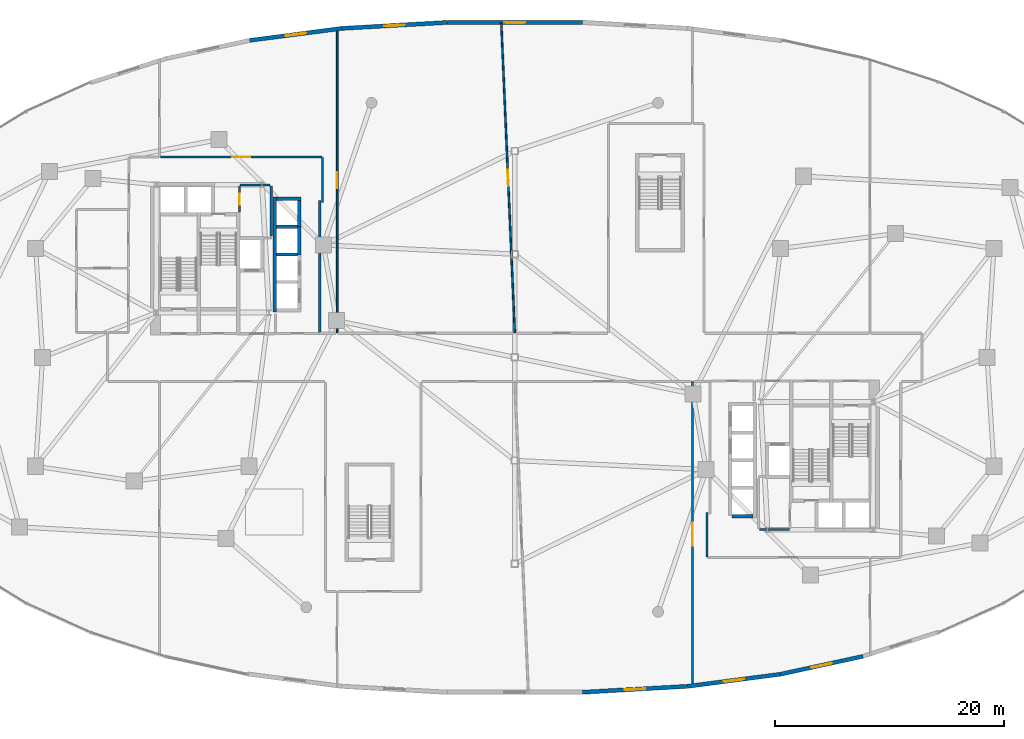
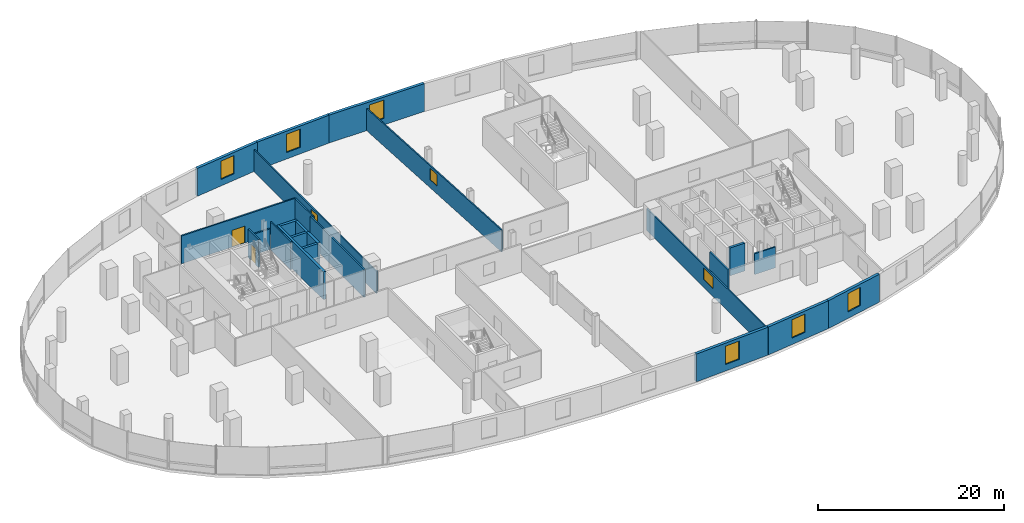
# One storey, part 14 of 19: 24 walls, 9 windows, 2 doors, 11 openings.
"""IFC4 building model written with IfcOpenShell, lengths in metres."""

from ifc_helpers import new_model, si_unit, direction, frame, frame_2d, origin, place, context, subcontext, project, spatial, rectangle, extrude, material, layer, layer_set, type_object, element, fill, save


model = new_model("IFC4")

# Units and contexts
model_context = context("Model", 3, precision=1e-05, world=origin(), true_north=direction((0.0, 1.0)))
body_context = subcontext(model_context, "Body", "Model", "MODEL_VIEW")
ifc_project = project(units=[si_unit("LENGTHUNIT", "METRE"), si_unit("AREAUNIT", "SQUARE_METRE"), si_unit("VOLUMEUNIT", "CUBIC_METRE"), si_unit("PLANEANGLEUNIT", "RADIAN"), si_unit("MASSUNIT", "GRAM", prefix="KILO"), si_unit("THERMODYNAMICTEMPERATUREUNIT", "KELVIN"), si_unit("POWERUNIT", "WATT")], contexts=[model_context])

# Site, building, storey
site_placement = place(None, origin())
site = spatial("IfcSite", under=ifc_project, at=site_placement, CompositionType="ELEMENT")
building_placement = place(site_placement, origin())
building = spatial("IfcBuilding", under=site, at=building_placement, Name="Cundina Bronze Exchange", CompositionType="ELEMENT")
storey_placement = place(building_placement, frame((0.0, 0.0, 16.0)))
storey = spatial("IfcBuildingStorey", under=building, at=storey_placement, Name="L03", CompositionType="ELEMENT", Elevation=16.0)

# Walls
ifc_material_1 = material(Name="Gypsum Fireboard Partition EI120")
ifc_layer_1 = layer(ifc_material_1, 0.179931640625, Name="Gypsum Fireboard Partition EI120")
ifc_layer_set_1 = layer_set([ifc_layer_1], Name="Gypsum Fireboard Partition EI120")
wall_type_1 = type_object("IfcWallType", Name="WL-COR-180", PredefinedType="PARTITIONING", material=ifc_layer_set_1)
wall_1_placement = place(storey_placement, frame((-17.02001953125, 2.169921875, 0.0), z_axis=(0.0, 0.0, 1.0), x_axis=(0.0, 1.0, 0.0)))
element("IfcWall", 1, at=wall_1_placement, inside=storey, type_object=wall_type_1, Name="L03 Interior Partition 001", PredefinedType="PARTITIONING", context=body_context, shape_type="SweptSolid", body=[
    extrude(rectangle(XDim=11.510009765625, YDim=0.179931640625, at=frame_2d((5.7548828125, 0.0))), origin(), (0.0, 0.0, 1.0), 3.64990234375),
])
wall_2_placement = place(storey_placement, frame((-21.25, 10.570068359375, 0.0), z_axis=(0.0, 0.0, 1.0), x_axis=(0.0, 1.0, 0.0)))
element("IfcWall", 2, at=wall_2_placement, inside=storey, type_object=wall_type_1, Name="L03 Interior Partition 004", PredefinedType="PARTITIONING", context=body_context, shape_type="SweptSolid", body=[
    extrude(rectangle(XDim=4.35986328125, YDim=0.179931640625, at=frame_2d((2.179931640625, 0.0))), origin(), (0.0, 0.0, 1.0), 3.64990234375),
])
wall_3_placement = place(storey_placement, frame((-23.9599609375, 15.030029296875, 0.0), z_axis=(0.0, 0.0, 1.0), x_axis=(1.0, 0.0, 0.0)))
element("IfcWall", 3, at=wall_3_placement, inside=storey, type_object=wall_type_1, Name="L03 Interior Partition 005", PredefinedType="PARTITIONING", context=body_context, shape_type="SweptSolid", body=[
    extrude(rectangle(XDim=2.60986328125, YDim=0.179931640625, at=frame_2d((1.304931640625, 0.0))), origin(), (0.0, 0.0, 1.0), 2.722900390625),
])

# Wall, opening, door
wall_4_placement = place(storey_placement, frame((-24.02001953125, 12.669921875, 0.0), z_axis=(0.0, 0.0, 1.0), x_axis=(0.0, 1.0, 0.0)))
wall_4 = element("IfcWall", 4, at=wall_4_placement, inside=storey, type_object=wall_type_1, Name="L03 Interior Partition 007", PredefinedType="PARTITIONING", context=body_context, shape_type="SweptSolid", body=[
    extrude(rectangle(XDim=2.260009765625, YDim=0.179931640625, at=frame_2d((1.1298828125, 0.0))), origin(), (0.0, 0.0, 1.0), 3.64990234375),
])
opening_1_placement = place(wall_4_placement, frame((0.655029296875, 0.0, 0.0)))
opening_1 = element("IfcOpeningElement", 5, at=opening_1_placement, cuts=wall_4, Name="Opening DW-01", PredefinedType="OPENING", context=body_context, shape_type="SweptSolid", body=[
    extrude(rectangle(XDim=0.949951171875, YDim=2.10009765625, at=frame_2d((0.47509765625, 1.050048828125))), frame((0.0, 0.099853515625, 0.0), z_axis=(0.0, -1.0, 0.0), x_axis=(1.0, 0.0, 0.0)), (0.0, 0.0, 1.0), 0.199951171875),
])
ifc_material_2 = material(Name="Solid Andean Oak Timber Grade A", Category="wood")
door_type_1 = type_object("IfcDoorType", Name="DR-WC-950", OperationType="NOTDEFINED", PredefinedType="DOOR", material=ifc_material_2)
door_1_placement = place(opening_1_placement, origin())
door_1 = element("IfcDoor", 6, at=door_1_placement, inside=storey, type_object=door_type_1, Name="L03 Interior Door 007", OperationType="SINGLE_SWING_LEFT", OverallHeight=2.10009765625, OverallWidth=0.949951171875, PredefinedType="DOOR", context=body_context, shape_type="SweptSolid", body=[
    extrude(rectangle(XDim=0.949951171875, YDim=2.10009765625, at=frame_2d((0.47509765625, 1.050048828125))), frame((0.0, 0.02490234375, 0.0), z_axis=(0.0, -1.0, 0.0), x_axis=(1.0, 0.0, 0.0)), (0.0, 0.0, 1.0), 0.050048828125),
])
fill(opening_1, door_1)

# Walls
wall_5_placement = place(storey_placement, frame((21.35009765625, -15.030029296875, 0.0), z_axis=(0.0, 0.0, 1.0), x_axis=(1.0, 0.0, 0.0)))
element("IfcWall", 7, at=wall_5_placement, inside=storey, type_object=wall_type_1, Name="L03 Interior Partition 012", PredefinedType="PARTITIONING", context=body_context, shape_type="SweptSolid", body=[
    extrude(rectangle(XDim=2.60986328125, YDim=0.179931640625, at=frame_2d((1.304931640625, 0.0))), origin(), (0.0, 0.0, 1.0), 2.722900390625),
])
wall_6_placement = place(storey_placement, frame((16.780029296875, -13.521484375, 0.0), z_axis=(0.0, 0.0, 1.0), x_axis=(0.0, -1.0, 0.0)))
element("IfcWall", 8, at=wall_6_placement, inside=storey, type_object=wall_type_1, Name="L03 Interior Partition 036", PredefinedType="PARTITIONING", context=body_context, shape_type="SweptSolid", body=[
    extrude(rectangle(XDim=3.906982421875, YDim=0.179931640625, at=frame_2d((1.95361328125, 0.0))), origin(), (0.0, 0.0, 1.0), 3.64990234375),
])

# Wall, opening, door
wall_7_placement = place(storey_placement, frame((-16.821533203125, 17.469970703125, 0.0), z_axis=(0.0, 0.0, 1.0), x_axis=(-1.0, 0.0, 0.0)))
wall_7 = element("IfcWall", 9, at=wall_7_placement, inside=storey, type_object=wall_type_1, Name="L03 Interior Partition 061", PredefinedType="PARTITIONING", context=body_context, shape_type="SweptSolid", body=[
    extrude(rectangle(XDim=14.08349609375, YDim=0.179931640625, at=frame_2d((7.041748046875, 0.0))), origin(), (0.0, 0.0, 1.0), 3.64990234375),
])
opening_2_placement = place(wall_7_placement, frame((6.24169921875, 0.0, 0.0)))
opening_2 = element("IfcOpeningElement", 10, at=opening_2_placement, cuts=wall_7, Name="Opening DO-02", PredefinedType="OPENING", context=body_context, shape_type="SweptSolid", body=[
    extrude(rectangle(XDim=1.60009765625, YDim=2.199951171875, at=frame_2d((0.800048828125, 1.10009765625))), frame((0.0, 0.099853515625, 0.0), z_axis=(0.0, -1.0, 0.0), x_axis=(1.0, 0.0, 0.0)), (0.0, 0.0, 1.0), 0.199951171875),
])
door_type_2 = type_object("IfcDoorType", Name="DR-TRD-1600", OperationType="NOTDEFINED", PredefinedType="DOOR", material=ifc_material_2)
door_2_placement = place(opening_2_placement, origin())
door_2 = element("IfcDoor", 11, at=door_2_placement, inside=storey, type_object=door_type_2, Name="L03 Interior Door 061", OperationType="SINGLE_SWING_LEFT", OverallHeight=2.199951171875, OverallWidth=1.60009765625, PredefinedType="DOOR", context=body_context, shape_type="SweptSolid", body=[
    extrude(rectangle(XDim=1.60009765625, YDim=2.199951171875, at=frame_2d((0.800048828125, 1.10009765625))), frame((0.0, 0.02490234375, 0.0), z_axis=(0.0, -1.0, 0.0), x_axis=(1.0, 0.0, 0.0)), (0.0, 0.0, 1.0), 0.050048828125),
])
fill(opening_2, door_2)

# Wall
wall_8_placement = place(storey_placement, frame((-16.780029296875, 13.521484375, 0.0), z_axis=(0.0, 0.0, 1.0), x_axis=(0.0, 1.0, 0.0)))
element("IfcWall", 12, at=wall_8_placement, inside=storey, type_object=wall_type_1, Name="L03 Interior Partition 062", PredefinedType="PARTITIONING", context=body_context, shape_type="SweptSolid", body=[
    extrude(rectangle(XDim=3.906982421875, YDim=0.179931640625, at=frame_2d((1.95361328125, 0.0))), origin(), (0.0, 0.0, 1.0), 3.64990234375),
])

# Wall, opening, window
ifc_material_3 = material(Name="Concrete C40/50", Category="concrete")
ifc_layer_2 = layer(ifc_material_3, 0.35009765625, Name="Concrete C40/50", Category="concrete")
ifc_layer_set_2 = layer_set([ifc_layer_2], Name="Concrete C40/50")
wall_type_2 = type_object("IfcWallType", Name="WL-EXT-350", PredefinedType="SOLIDWALL", material=ifc_layer_set_2)
wall_9_placement = place(storey_placement, frame((5.892578125, 29.21630859375, 0.0), z_axis=(0.0, 0.0, 1.0), x_axis=(-1.0, 0.0, 0.0)))
wall_9 = element("IfcWall", 13, at=wall_9_placement, inside=storey, type_object=wall_type_2, Name="L03 Podium Exterior Wall 10", PredefinedType="SOLIDWALL", context=body_context, shape_type="SweptSolid", body=[
    extrude(rectangle(XDim=11.78515625, YDim=0.35009765625, at=frame_2d((5.892578125, 0.0))), origin(), (0.0, 0.0, 1.0), 3.64990234375),
])
opening_3_placement = place(wall_9_placement, frame((4.991943359375, 0.0, 0.85009765625)))
opening_3 = element("IfcOpeningElement", 14, at=opening_3_placement, cuts=wall_9, Name="Opening W-02", PredefinedType="OPENING", context=body_context, shape_type="SweptSolid", body=[
    extrude(rectangle(XDim=1.800048828125, YDim=2.39990234375, at=frame_2d((0.89990234375, 1.199951171875))), frame((0.0, 0.18505859375, 0.0), z_axis=(0.0, -1.0, 0.0), x_axis=(1.0, 0.0, 0.0)), (0.0, 0.0, 1.0), 0.3701171875),
])
ifc_material_4 = material(Name="Heat-Strengthened Solar-Control Bronze Safety Glass 28mm", Category="glass")
window_type_1 = type_object("IfcWindowType", Name="WN-POD-1800", PartitioningType="SINGLE_PANEL", PredefinedType="WINDOW", material=ifc_material_4)
window_1_placement = place(opening_3_placement, origin())
window_1 = element("IfcWindow", 15, at=window_1_placement, inside=storey, type_object=window_type_1, Name="L03 Podium Punched Window 10", OverallHeight=2.39990234375, OverallWidth=1.800048828125, PartitioningType="SINGLE_PANEL", PredefinedType="WINDOW", context=body_context, shape_type="SweptSolid", body=[
    extrude(rectangle(XDim=1.800048828125, YDim=2.39990234375, at=frame_2d((0.89990234375, 1.199951171875))), frame((0.0, 0.030029296875, 0.0), z_axis=(0.0, -1.0, 0.0), x_axis=(1.0, 0.0, 0.0)), (0.0, 0.0, 1.0), 0.06005859375),
])
fill(opening_3, window_1)

wall_10_placement = place(storey_placement, frame((-5.892578125, 29.21630859375, 0.0), z_axis=(0.0, 0.0, 1.0), x_axis=(-0.998413463137, -0.056307695976, 0.0)))
wall_10 = element("IfcWall", 16, at=wall_10_placement, inside=storey, type_object=wall_type_2, Name="L03 Podium Exterior Wall 11", PredefinedType="SOLIDWALL", context=body_context, shape_type="SweptSolid", body=[
    extrude(rectangle(XDim=9.20068359375, YDim=0.35009765625, at=frame_2d((4.600341796875, 0.0))), origin(), (0.0, 0.0, 1.0), 3.64990234375),
])
opening_4_placement = place(wall_10_placement, frame((3.699951171875, 0.0, 0.85009765625)))
opening_4 = element("IfcOpeningElement", 17, at=opening_4_placement, cuts=wall_10, Name="Opening W-02", PredefinedType="OPENING", context=body_context, shape_type="SweptSolid", body=[
    extrude(rectangle(XDim=1.800048828125, YDim=2.39990234375, at=frame_2d((0.89990234375, 1.199951171875))), frame((0.0, 0.18505859375, 0.0), z_axis=(0.0, -1.0, 0.0), x_axis=(1.0, 0.0, 0.0)), (0.0, 0.0, 1.0), 0.3701171875),
])
window_2_placement = place(opening_4_placement, origin())
window_2 = element("IfcWindow", 18, at=window_2_placement, inside=storey, type_object=window_type_1, Name="L03 Podium Punched Window 11", OverallHeight=2.39990234375, OverallWidth=1.800048828125, PartitioningType="SINGLE_PANEL", PredefinedType="WINDOW", context=body_context, shape_type="SweptSolid", body=[
    extrude(rectangle(XDim=1.800048828125, YDim=2.39990234375, at=frame_2d((0.89990234375, 1.199951171875))), frame((0.0, 0.030029296875, 0.0), z_axis=(0.0, -1.0, 0.0), x_axis=(1.0, 0.0, 0.0)), (0.0, 0.0, 1.0), 0.06005859375),
])
fill(opening_4, window_2)

wall_11_placement = place(storey_placement, frame((-15.07861328125, 28.6982421875, 0.0), z_axis=(0.0, 0.0, 1.0), x_axis=(-0.991688106477, -0.128665067026, 0.0)))
wall_11 = element("IfcWall", 19, at=wall_11_placement, inside=storey, type_object=wall_type_2, Name="L03 Podium Exterior Wall 12", PredefinedType="SOLIDWALL", context=body_context, shape_type="SweptSolid", body=[
    extrude(rectangle(XDim=8.12890625, YDim=0.35009765625, at=frame_2d((4.064453125, 0.0))), origin(), (0.0, 0.0, 1.0), 3.64990234375),
])
opening_5_placement = place(wall_11_placement, frame((3.1640625, 0.0, 0.85009765625)))
opening_5 = element("IfcOpeningElement", 20, at=opening_5_placement, cuts=wall_11, Name="Opening W-02", PredefinedType="OPENING", context=body_context, shape_type="SweptSolid", body=[
    extrude(rectangle(XDim=1.800048828125, YDim=2.39990234375, at=frame_2d((0.89990234375, 1.199951171875))), frame((0.0, 0.18505859375, 0.0), z_axis=(0.0, -1.0, 0.0), x_axis=(1.0, 0.0, 0.0)), (0.0, 0.0, 1.0), 0.3701171875),
])
window_3_placement = place(opening_5_placement, origin())
window_3 = element("IfcWindow", 21, at=window_3_placement, inside=storey, type_object=window_type_1, Name="L03 Podium Punched Window 12", OverallHeight=2.39990234375, OverallWidth=1.800048828125, PartitioningType="SINGLE_PANEL", PredefinedType="WINDOW", context=body_context, shape_type="SweptSolid", body=[
    extrude(rectangle(XDim=1.800048828125, YDim=2.39990234375, at=frame_2d((0.89990234375, 1.199951171875))), frame((0.0, 0.030029296875, 0.0), z_axis=(0.0, -1.0, 0.0), x_axis=(1.0, 0.0, 0.0)), (0.0, 0.0, 1.0), 0.06005859375),
])
fill(opening_5, window_3)

wall_12_placement = place(storey_placement, frame((5.892578125, -29.21630859375, 0.0), z_axis=(0.0, 0.0, 1.0), x_axis=(0.998413463137, 0.056307695976, 0.0)))
wall_12 = element("IfcWall", 22, at=wall_12_placement, inside=storey, type_object=wall_type_2, Name="L03 Podium Exterior Wall 33", PredefinedType="SOLIDWALL", context=body_context, shape_type="SweptSolid", body=[
    extrude(rectangle(XDim=9.20068359375, YDim=0.35009765625, at=frame_2d((4.600341796875, 0.0))), origin(), (0.0, 0.0, 1.0), 3.64990234375),
])
opening_6_placement = place(wall_12_placement, frame((3.699951171875, 0.0, 0.85009765625)))
opening_6 = element("IfcOpeningElement", 23, at=opening_6_placement, cuts=wall_12, Name="Opening W-02", PredefinedType="OPENING", context=body_context, shape_type="SweptSolid", body=[
    extrude(rectangle(XDim=1.800048828125, YDim=2.39990234375, at=frame_2d((0.89990234375, 1.199951171875))), frame((0.0, 0.18505859375, 0.0), z_axis=(0.0, -1.0, 0.0), x_axis=(1.0, 0.0, 0.0)), (0.0, 0.0, 1.0), 0.3701171875),
])
window_4_placement = place(opening_6_placement, origin())
window_4 = element("IfcWindow", 24, at=window_4_placement, inside=storey, type_object=window_type_1, Name="L03 Podium Punched Window 33", OverallHeight=2.39990234375, OverallWidth=1.800048828125, PartitioningType="SINGLE_PANEL", PredefinedType="WINDOW", context=body_context, shape_type="SweptSolid", body=[
    extrude(rectangle(XDim=1.800048828125, YDim=2.39990234375, at=frame_2d((0.89990234375, 1.199951171875))), frame((0.0, 0.030029296875, 0.0), z_axis=(0.0, -1.0, 0.0), x_axis=(1.0, 0.0, 0.0)), (0.0, 0.0, 1.0), 0.06005859375),
])
fill(opening_6, window_4)

wall_13_placement = place(storey_placement, frame((15.07861328125, -28.6982421875, 0.0), z_axis=(0.0, 0.0, 1.0), x_axis=(0.991688106477, 0.128665067026, 0.0)))
wall_13 = element("IfcWall", 25, at=wall_13_placement, inside=storey, type_object=wall_type_2, Name="L03 Podium Exterior Wall 34", PredefinedType="SOLIDWALL", context=body_context, shape_type="SweptSolid", body=[
    extrude(rectangle(XDim=8.12890625, YDim=0.35009765625, at=frame_2d((4.064453125, 0.0))), origin(), (0.0, 0.0, 1.0), 3.64990234375),
])
opening_7_placement = place(wall_13_placement, frame((3.1640625, 0.0, 0.85009765625)))
opening_7 = element("IfcOpeningElement", 26, at=opening_7_placement, cuts=wall_13, Name="Opening W-02", PredefinedType="OPENING", context=body_context, shape_type="SweptSolid", body=[
    extrude(rectangle(XDim=1.800048828125, YDim=2.39990234375, at=frame_2d((0.89990234375, 1.199951171875))), frame((0.0, 0.18505859375, 0.0), z_axis=(0.0, -1.0, 0.0), x_axis=(1.0, 0.0, 0.0)), (0.0, 0.0, 1.0), 0.3701171875),
])
window_5_placement = place(opening_7_placement, origin())
window_5 = element("IfcWindow", 27, at=window_5_placement, inside=storey, type_object=window_type_1, Name="L03 Podium Punched Window 34", OverallHeight=2.39990234375, OverallWidth=1.800048828125, PartitioningType="SINGLE_PANEL", PredefinedType="WINDOW", context=body_context, shape_type="SweptSolid", body=[
    extrude(rectangle(XDim=1.800048828125, YDim=2.39990234375, at=frame_2d((0.89990234375, 1.199951171875))), frame((0.0, 0.030029296875, 0.0), z_axis=(0.0, -1.0, 0.0), x_axis=(1.0, 0.0, 0.0)), (0.0, 0.0, 1.0), 0.06005859375),
])
fill(opening_7, window_5)

wall_14_placement = place(storey_placement, frame((23.139892578125, -27.65234375, 0.0), z_axis=(0.0, 0.0, 1.0), x_axis=(0.977456656467, 0.211136175795, 0.0)))
wall_14 = element("IfcWall", 28, at=wall_14_placement, inside=storey, type_object=wall_type_2, Name="L03 Podium Exterior Wall 35", PredefinedType="SOLIDWALL", context=body_context, shape_type="SweptSolid", body=[
    extrude(rectangle(XDim=7.40625, YDim=0.35009765625, at=frame_2d((3.703125, 0.0))), origin(), (0.0, 0.0, 1.0), 3.64990234375),
])
opening_8_placement = place(wall_14_placement, frame((2.802978515625, 0.0, 0.85009765625)))
opening_8 = element("IfcOpeningElement", 29, at=opening_8_placement, cuts=wall_14, Name="Opening W-02", PredefinedType="OPENING", context=body_context, shape_type="SweptSolid", body=[
    extrude(rectangle(XDim=1.800048828125, YDim=2.39990234375, at=frame_2d((0.89990234375, 1.199951171875))), frame((0.0, 0.18505859375, 0.0), z_axis=(0.0, -1.0, 0.0), x_axis=(1.0, 0.0, 0.0)), (0.0, 0.0, 1.0), 0.3701171875),
])
window_6_placement = place(opening_8_placement, origin())
window_6 = element("IfcWindow", 30, at=window_6_placement, inside=storey, type_object=window_type_1, Name="L03 Podium Punched Window 35", OverallHeight=2.39990234375, OverallWidth=1.800048828125, PartitioningType="SINGLE_PANEL", PredefinedType="WINDOW", context=body_context, shape_type="SweptSolid", body=[
    extrude(rectangle(XDim=1.800048828125, YDim=2.39990234375, at=frame_2d((0.89990234375, 1.199951171875))), frame((0.0, 0.030029296875, 0.0), z_axis=(0.0, -1.0, 0.0), x_axis=(1.0, 0.0, 0.0)), (0.0, 0.0, 1.0), 0.06005859375),
])
fill(opening_8, window_6)

# Walls
ifc_material_5 = material(Name="Concrete C50/60", Category="concrete")
ifc_layer_3 = layer(ifc_material_5, 0.300048828125, Name="Concrete C50/60", Category="concrete")
ifc_layer_set_3 = layer_set([ifc_layer_3], Name="Concrete C50/60")
wall_type_3 = type_object("IfcWallType", Name="WL-SHFT-300", PredefinedType="SHEAR", material=ifc_layer_set_3)
wall_15_placement = place(storey_placement, frame((-20.949951171875, 3.949951171875, 0.0), z_axis=(0.0, 0.0, 1.0), x_axis=(0.0, 1.0, 0.0)))
element("IfcWall", 31, at=wall_15_placement, inside=storey, type_object=wall_type_3, Name="L03 W Passenger Bank Hoistway Back Wall", PredefinedType="SHEAR", context=body_context, shape_type="SweptSolid", body=[
    extrude(rectangle(XDim=10.050048828125, YDim=0.300048828125, at=frame_2d((5.02490234375, 0.0))), origin(), (0.0, 0.0, 1.0), 3.64990234375),
])
wall_16_placement = place(storey_placement, frame((-20.800048828125, 13.85009765625, 0.0), z_axis=(0.0, 0.0, 1.0), x_axis=(1.0, 0.0, 0.0)))
element("IfcWall", 32, at=wall_16_placement, inside=storey, type_object=wall_type_3, Name="L03 W Passenger Bank North Cap Wall", PredefinedType="SHEAR", context=body_context, shape_type="SweptSolid", body=[
    extrude(rectangle(XDim=2.150146484375, YDim=0.300048828125, at=frame_2d((1.0751953125, 0.0))), origin(), (0.0, 0.0, 1.0), 3.64990234375),
])
for number, where, z_axis, x_axis, name in (
    (33, (-20.800048828125, 8.97509765625, 0.0), (0.0, 0.0, 1.0), (1.0, 0.0, 0.0), "L03 W Passenger Hoistway Divider 2"),
    (34, (-20.800048828125, 11.375, 0.0), (0.0, 0.0, 1.0), (1.0, 0.0, 0.0), "L03 W Passenger Hoistway Divider 3"),
):
    element("IfcWall", number, at=place(storey_placement, frame(where, z_axis=z_axis, x_axis=x_axis)), inside=storey, type_object=wall_type_3, Name=name, PredefinedType="SHEAR", context=body_context, shape_type="SweptSolid", body=[
        extrude(rectangle(XDim=1.85009765625, YDim=0.300048828125, at=frame_2d((0.925048828125, 0.0))), origin(), (0.0, 0.0, 1.0), 3.64990234375),
    ])
for number, where, z_axis, x_axis, name in (
    (35, (-18.800048828125, 8.929931640625, 0.0), (0.0, 0.0, 1.0), (0.0, 1.0, 0.0), "L03 PM-W2 Hoistway Front Wall"),
    (36, (-18.800048828125, 11.330078125, 0.0), (0.0, 0.0, 1.0), (0.0, 1.0, 0.0), "L03 PM-W1 Hoistway Front Wall"),
):
    element("IfcWall", number, at=place(storey_placement, frame(where, z_axis=z_axis, x_axis=x_axis)), inside=storey, type_object=wall_type_3, Name=name, PredefinedType="SHEAR", context=body_context, shape_type="SweptSolid", body=[
        extrude(rectangle(XDim=2.489990234375, YDim=0.300048828125, at=frame_2d((1.2451171875, 0.0))), origin(), (0.0, 0.0, 1.0), 3.64990234375),
    ])
wall_17_placement = place(storey_placement, frame((18.949951171875, -13.85009765625, 0.0), z_axis=(0.0, 0.0, 1.0), x_axis=(1.0, 0.0, 0.0)))
element("IfcWall", 37, at=wall_17_placement, inside=storey, type_object=wall_type_3, Name="L03 E Passenger Bank South Cap Wall", PredefinedType="SHEAR", context=body_context, shape_type="SweptSolid", body=[
    extrude(rectangle(XDim=1.85009765625, YDim=0.300048828125, at=frame_2d((0.925048828125, 0.0))), origin(), (0.0, 0.0, 1.0), 3.64990234375),
])

# Wall, opening, window
ifc_material_6 = material(Name="Gypsum Acoustic Partition EI60")
ifc_layer_4 = layer(ifc_material_6, 0.14990234375, Name="Gypsum Acoustic Partition EI60")
ifc_layer_set_4 = layer_set([ifc_layer_4], Name="Gypsum Acoustic Partition EI60")
wall_type_4 = type_object("IfcWallType", Name="WL-TEN-150", PredefinedType="PARTITIONING", material=ifc_layer_set_4)
wall_18_placement = place(storey_placement, frame((-15.5, 2.1298828125, 0.0), z_axis=(0.0, 0.0, 1.0), x_axis=(0.0, 1.0, 0.0)))
wall_18 = element("IfcWall", 38, at=wall_18_placement, inside=storey, type_object=wall_type_4, Name="L03 Interior Partition 027", PredefinedType="PARTITIONING", context=body_context, shape_type="SweptSolid", body=[
    extrude(rectangle(XDim=26.610107421875, YDim=0.14990234375, at=frame_2d((13.30517578125, 0.0))), origin(), (0.0, 0.0, 1.0), 2.876953125),
])
opening_9_placement = place(wall_18_placement, frame((12.60498046875, 0.0, 1.050048828125)))
opening_9 = element("IfcOpeningElement", 39, at=opening_9_placement, cuts=wall_18, Name="Opening WI-02", PredefinedType="OPENING", context=body_context, shape_type="SweptSolid", body=[
    extrude(rectangle(XDim=1.39990234375, YDim=1.5, at=frame_2d((0.699951171875, 0.75))), frame((0.0, 0.0849609375, 0.0), z_axis=(0.0, -1.0, 0.0), x_axis=(1.0, 0.0, 0.0)), (0.0, 0.0, 1.0), 0.169921875),
])
ifc_material_7 = material(Name="Clear Low-E Insulating Glass 26mm", Category="glass")
window_type_2 = type_object("IfcWindowType", Name="WN-INT-1400", PartitioningType="SINGLE_PANEL", PredefinedType="WINDOW", material=ifc_material_7)
window_7_placement = place(opening_9_placement, origin())
window_7 = element("IfcWindow", 40, at=window_7_placement, inside=storey, type_object=window_type_2, Name="L03 Interior Acoustic Vision Window 027", OverallHeight=1.5, OverallWidth=1.39990234375, PartitioningType="SINGLE_PANEL", PredefinedType="WINDOW", context=body_context, shape_type="SweptSolid", body=[
    extrude(rectangle(XDim=1.39990234375, YDim=1.5, at=frame_2d((0.699951171875, 0.75))), frame((0.0, 0.030029296875, 0.0), z_axis=(0.0, -1.0, 0.0), x_axis=(1.0, 0.0, 0.0)), (0.0, 0.0, 1.0), 0.06005859375),
])
fill(opening_9, window_7)

wall_19_placement = place(storey_placement, frame((0.0, 2.1298828125, 0.0), z_axis=(0.0, 0.0, 1.0), x_axis=(-0.043560875221, 0.999050774561, 0.0)))
wall_19 = element("IfcWall", 41, at=wall_19_placement, inside=storey, type_object=wall_type_4, Name="L03 Interior Partition 029", PredefinedType="PARTITIONING", context=body_context, shape_type="SweptSolid", body=[
    extrude(rectangle(XDim=27.07568359375, YDim=0.14990234375, at=frame_2d((13.537841796875, 0.0))), origin(), (0.0, 0.0, 1.0), 2.876953125),
])
opening_10_placement = place(wall_19_placement, frame((12.837890625, 0.0, 1.050048828125)))
opening_10 = element("IfcOpeningElement", 42, at=opening_10_placement, cuts=wall_19, Name="Opening WI-02", PredefinedType="OPENING", context=body_context, shape_type="SweptSolid", body=[
    extrude(rectangle(XDim=1.39990234375, YDim=1.5, at=frame_2d((0.699951171875, 0.75))), frame((0.0, 0.0849609375, 0.0), z_axis=(0.0, -1.0, 0.0), x_axis=(1.0, 0.0, 0.0)), (0.0, 0.0, 1.0), 0.169921875),
])
window_8_placement = place(opening_10_placement, origin())
window_8 = element("IfcWindow", 43, at=window_8_placement, inside=storey, type_object=window_type_2, Name="L03 Interior Acoustic Vision Window 029", OverallHeight=1.5, OverallWidth=1.39990234375, PartitioningType="SINGLE_PANEL", PredefinedType="WINDOW", context=body_context, shape_type="SweptSolid", body=[
    extrude(rectangle(XDim=1.39990234375, YDim=1.5, at=frame_2d((0.699951171875, 0.75))), frame((0.0, 0.030029296875, 0.0), z_axis=(0.0, -1.0, 0.0), x_axis=(1.0, 0.0, 0.0)), (0.0, 0.0, 1.0), 0.06005859375),
])
fill(opening_10, window_8)

wall_20_placement = place(storey_placement, frame((15.5, -28.739990234375, 0.0), z_axis=(0.0, 0.0, 1.0), x_axis=(0.0, 1.0, 0.0)))
wall_20 = element("IfcWall", 44, at=wall_20_placement, inside=storey, type_object=wall_type_4, Name="L03 Interior Partition 030", PredefinedType="PARTITIONING", context=body_context, shape_type="SweptSolid", body=[
    extrude(rectangle(XDim=26.610107421875, YDim=0.14990234375, at=frame_2d((13.30517578125, 0.0))), origin(), (0.0, 0.0, 1.0), 2.876953125),
])
opening_11_placement = place(wall_20_placement, frame((12.304931640625, 0.0, 1.050048828125)))
opening_11 = element("IfcOpeningElement", 45, at=opening_11_placement, cuts=wall_20, Name="Opening WI-01", PredefinedType="OPENING", context=body_context, shape_type="SweptSolid", body=[
    extrude(rectangle(XDim=2.0, YDim=1.5, at=frame_2d((1.0, 0.75))), frame((0.0, 0.0849609375, 0.0), z_axis=(0.0, -1.0, 0.0), x_axis=(1.0, 0.0, 0.0)), (0.0, 0.0, 1.0), 0.169921875),
])
window_type_3 = type_object("IfcWindowType", Name="WN-INT-2000", PartitioningType="SINGLE_PANEL", PredefinedType="WINDOW", material=ifc_material_7)
window_9_placement = place(opening_11_placement, origin())
window_9 = element("IfcWindow", 46, at=window_9_placement, inside=storey, type_object=window_type_3, Name="L03 Interior Acoustic Vision Window 030", OverallHeight=1.5, OverallWidth=2.0, PartitioningType="SINGLE_PANEL", PredefinedType="WINDOW", context=body_context, shape_type="SweptSolid", body=[
    extrude(rectangle(XDim=2.0, YDim=1.5, at=frame_2d((1.0, 0.75))), frame((0.0, 0.030029296875, 0.0), z_axis=(0.0, -1.0, 0.0), x_axis=(1.0, 0.0, 0.0)), (0.0, 0.0, 1.0), 0.06005859375),
])
fill(opening_11, window_9)

save(model, "model.ifc")
